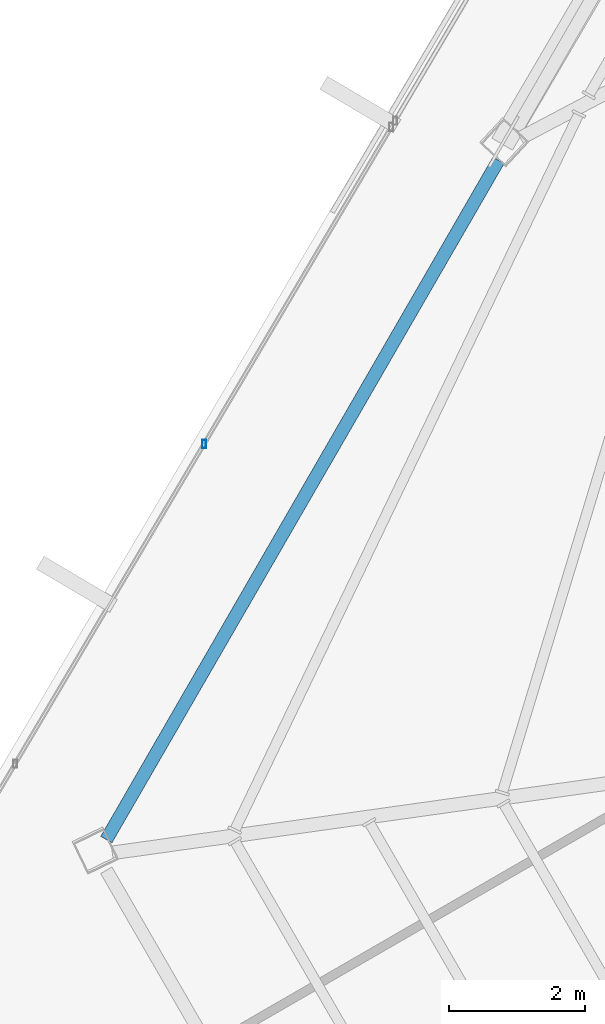
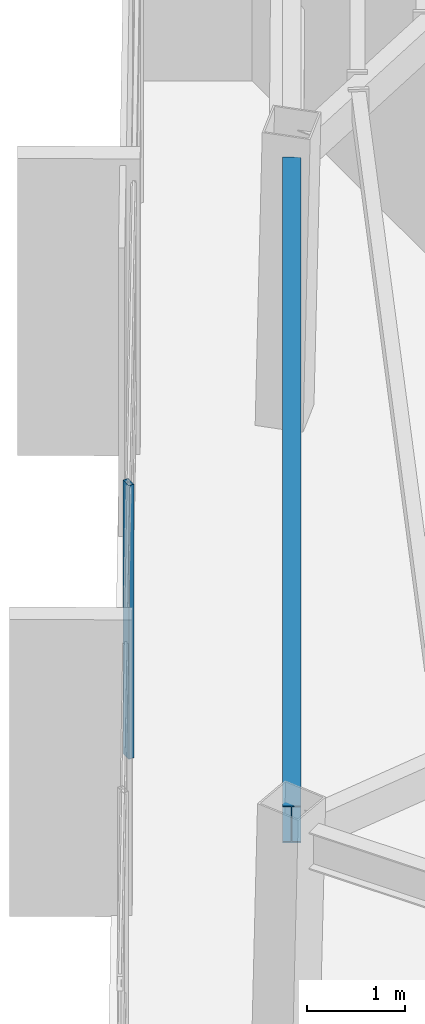
# One storey, part 9 of 48: 1 beam, 1 member, 1 element without a shape of its own.
"""IFC4 building model written with IfcOpenShell, lengths in metres."""

import ifcopenshell
import ifcopenshell.guid

model = None  # the IFC model being written
_history = None  # IfcOwnerHistory: only IFC2X3 demands one
_inside = {}  # id of a spatial element -> (the spatial element, [elements in it])
_under = {}  # id of a project, library or spatial element -> (it, [spatial elements below it])
_declared = {}  # id of a project -> (the project, [libraries it declares])
_typed = {}  # id of a type object -> (the type object, [elements of that type])
_made_of = {}  # id of a material, layer set ... -> (it, [elements and type objects made of it])


def new_model(schema):
    """Start an empty IFC model of exactly this schema.

    Asked for "IFC4X3", IfcOpenShell would pick the latest addendum, in which some entities
    have other attributes; the version numbers below select the first issue.
    IFC2X3 requires an IfcOwnerHistory on every rooted entity: one is made here for all.
    """
    global model, _history
    if schema == "IFC4X3":
        model = ifcopenshell.file(schema_version=(4, 3, 0, 0))
    else:
        model = ifcopenshell.file(schema=schema)
    _inside.clear()
    _under.clear()
    _declared.clear()
    _typed.clear()
    _made_of.clear()
    _history = None
    if model.schema == "IFC2X3":
        org = make("IfcOrganization", Name="unknown")
        user = make(
            "IfcPersonAndOrganization",
            ThePerson=make("IfcPerson", FamilyName="unknown"),
            TheOrganization=org,
        )
        app = make(
            "IfcApplication",
            ApplicationDeveloper=org,
            Version="unknown",
            ApplicationFullName="unknown",
            ApplicationIdentifier="unknown",
        )
        _history = make(
            "IfcOwnerHistory",
            OwningUser=user,
            OwningApplication=app,
            ChangeAction="ADDED",
            CreationDate=0,
        )
    return model


def make(cls, **values):
    """One entity of the class cls with the attributes given. An attribute that is None is left unset."""
    return model.create_entity(
        cls, **{name: value for name, value in values.items() if value is not None}
    )


def rooted(cls, **values):
    """An entity with a GlobalId (a new one), such as an element, a storey or a relation."""
    return make(cls, GlobalId=ifcopenshell.guid.new(), OwnerHistory=_history, **values)


def si_unit(unit_type, name, prefix=None):
    """IfcSIUnit, for example si_unit("LENGTHUNIT", "METRE", prefix="MILLI")."""
    return make("IfcSIUnit", UnitType=unit_type, Prefix=prefix, Name=name)


def assignment(units):
    """IfcUnitAssignment: the units of a project."""
    return None if units is None else make("IfcUnitAssignment", Units=units)


def point(xyz):
    """IfcCartesianPoint."""
    return None if xyz is None else make("IfcCartesianPoint", Coordinates=xyz)


def direction(xyz):
    """IfcDirection."""
    return None if xyz is None else make("IfcDirection", DirectionRatios=xyz)


def frame(location, z_axis=None, x_axis=None):
    """IfcAxis2Placement3D, a coordinate frame: its origin and axes. An axis left out is left unset."""
    return make(
        "IfcAxis2Placement3D",
        Location=point(location),
        Axis=direction(z_axis),
        RefDirection=direction(x_axis),
    )


def frame_2d(location, x_axis=None):
    """IfcAxis2Placement2D, a coordinate frame in the plane: its origin and x axis."""
    return make(
        "IfcAxis2Placement2D", Location=point(location), RefDirection=direction(x_axis)
    )


def origin():
    """The frame at (0, 0, 0) with its axes left unset."""
    return frame((0.0, 0.0, 0.0))


def origin_2d():
    """The frame at (0, 0) in the plane with its x axis left unset."""
    return frame_2d((0.0, 0.0))


def place(relative_to, where):
    """IfcLocalPlacement: puts the frame where relative to a parent placement (None: the world)."""
    return make(
        "IfcLocalPlacement", PlacementRelTo=relative_to, RelativePlacement=where
    )


def context(
    kind, dimensions, precision=None, world=None, true_north=None, identifier=None
):
    """IfcGeometricRepresentationContext, for example the 3D "Model" context."""
    return make(
        "IfcGeometricRepresentationContext",
        ContextIdentifier=identifier,
        ContextType=kind,
        CoordinateSpaceDimension=dimensions,
        Precision=precision,
        WorldCoordinateSystem=world,
        TrueNorth=true_north,
    )


def subcontext(parent, identifier, kind, view, scale=None):
    """IfcGeometricRepresentationSubContext, for example "Body" below "Model"."""
    return make(
        "IfcGeometricRepresentationSubContext",
        ContextIdentifier=identifier,
        ContextType=kind,
        ParentContext=parent,
        TargetScale=scale,
        TargetView=view,
    )


def project(units=None, contexts=None):
    """IfcProject with its units and contexts."""
    return rooted(
        "IfcProject",
        Name="project",
        RepresentationContexts=contexts,
        UnitsInContext=assignment(units),
    )


def spatial(cls, under=None, at=None, **own):
    """A site, building, storey or space (cls), placed at a placement, below another one or the project."""
    s = rooted(cls, ObjectPlacement=at, **own)
    if under is not None:
        _under.setdefault(under.id(), (under, []))[1].append(s)
    return s


def profile(cls, at=None, kind="AREA", **sizes):
    """A parametric profile (cls). Its sizes go by their IFC names, for example OverallWidth=200.0."""
    return make(cls, ProfileType=kind, Position=at, **sizes)


def hollow_rectangle(**sizes):
    """IfcRectangleHollowProfileDef."""
    return profile("IfcRectangleHollowProfileDef", **sizes)


def i_section(**sizes):
    """IfcIShapeProfileDef."""
    return profile("IfcIShapeProfileDef", **sizes)


def extrude(swept, where, along, depth):
    """IfcExtrudedAreaSolid: the profile swept, set in the frame where, extruded along a direction by depth."""
    return make(
        "IfcExtrudedAreaSolid",
        SweptArea=swept,
        Position=where,
        ExtrudedDirection=direction(along),
        Depth=depth,
    )


def shape(context_of_items, identifier, shape_type, items):
    """IfcShapeRepresentation: the items that make up one representation, for example the "Body"."""
    return make(
        "IfcShapeRepresentation",
        ContextOfItems=context_of_items,
        RepresentationIdentifier=identifier,
        RepresentationType=shape_type,
        Items=items,
    )


def source(mapping_origin, context_of_items, identifier, shape_type, items):
    """IfcRepresentationMap: a shape defined once, which mapped items show again and again."""
    return make(
        "IfcRepresentationMap",
        MappingOrigin=mapping_origin,
        MappedRepresentation=shape(context_of_items, identifier, shape_type, items),
    )


def transform(
    local_origin,
    x_axis=None,
    y_axis=None,
    z_axis=None,
    scale=None,
    scale2=None,
    scale3=None,
    uniform=True,
):
    """IfcCartesianTransformationOperator3D, or its non-uniform kind. x_axis, y_axis, z_axis: its Axis1, 2, 3."""
    if uniform:
        return make(
            "IfcCartesianTransformationOperator3D",
            Axis1=direction(x_axis),
            Axis2=direction(y_axis),
            LocalOrigin=point(local_origin),
            Scale=scale,
            Axis3=direction(z_axis),
        )
    return make(
        "IfcCartesianTransformationOperator3DnonUniform",
        Axis1=direction(x_axis),
        Axis2=direction(y_axis),
        LocalOrigin=point(local_origin),
        Scale=scale,
        Axis3=direction(z_axis),
        Scale2=scale2,
        Scale3=scale3,
    )


def mapped(mapping_source, mapping_target):
    """IfcMappedItem: shows the shape of a source again, moved by a transform."""
    return make(
        "IfcMappedItem", MappingSource=mapping_source, MappingTarget=mapping_target
    )


def material(Name=None, Category=None):
    """IfcMaterial."""
    return make("IfcMaterial", Name=Name, Category=Category)


def material_profile(
    of_material, cross_section, Name=None, Category=None, Priority=None
):
    """IfcMaterialProfile: a cross section and its material."""
    return make(
        "IfcMaterialProfile",
        Name=Name,
        Material=of_material,
        Profile=cross_section,
        Priority=Priority,
        Category=Category,
    )


def profile_set(profiles, Name=None, composite=None):
    """IfcMaterialProfileSet."""
    return make(
        "IfcMaterialProfileSet",
        Name=Name,
        MaterialProfiles=profiles,
        CompositeProfile=composite,
    )


def made_of(thing, what):
    """Note that an element or type object is made of a material, layer set ...; save() writes the relation."""
    if what is not None:
        _made_of.setdefault(what.id(), (what, []))[1].append(thing)
    return thing


def type_object(cls, material=None, **own):
    """A type object (cls), such as IfcWallType, which elements share."""
    return made_of(rooted(cls, **own), material)


def type_shapes(of_type, sources):
    """Give a type object the sources (RepresentationMaps) that its elements show as mapped items."""
    of_type.RepresentationMaps = sources


def element(
    cls,
    number,
    at=None,
    inside=None,
    cuts=None,
    type_object=None,
    material=None,
    context=None,
    identifier="Body",
    shape_type=None,
    held_by="IfcProductDefinitionShape",
    body=None,
    shapes=None,
    **own,
):
    """One element of the class cls, such as IfcWall. Its Tag is "e" and its number.

    at: its placement. inside: the storey or other place that contains it. cuts: it is an
    opening in that element (IfcRelVoidsElement). A single representation is given by context,
    identifier, shape_type and body (its items); several are given by shapes. held_by: the class
    of the entity that holds the representations. save() writes the other relations.
    """
    e = rooted(cls, Tag="e%d" % number, ObjectPlacement=at, **own)
    if body is not None:
        shapes = [shape(context, identifier, shape_type, body)]
    if shapes is not None:
        e.Representation = make(held_by, Representations=shapes)
    if inside is not None:
        _inside.setdefault(inside.id(), (inside, []))[1].append(e)
    if cuts is not None:
        rooted(
            "IfcRelVoidsElement", RelatingBuildingElement=cuts, RelatedOpeningElement=e
        )
    if type_object is not None:
        _typed.setdefault(type_object.id(), (type_object, []))[1].append(e)
    return made_of(e, material)


def aggregate(whole, parts):
    """IfcRelAggregates: a whole, such as a stair, and the parts it consists of."""
    return rooted("IfcRelAggregates", RelatingObject=whole, RelatedObjects=parts)


def save(model, path):
    """Write the relations noted so far, then the file.

    IfcRelAggregates (storeys below a building ...), IfcRelContainedInSpatialStructure (elements
    in a storey), IfcRelDefinesByType, IfcRelAssociatesMaterial and IfcRelDeclares: one each for
    every whole, place, type object, material and project.
    """
    for whole, parts in _under.values():
        aggregate(whole, parts)
    for where, things in _inside.values():
        rooted(
            "IfcRelContainedInSpatialStructure",
            RelatedElements=things,
            RelatingStructure=where,
        )
    for kind, things in _typed.values():
        rooted("IfcRelDefinesByType", RelatedObjects=things, RelatingType=kind)
    for what, things in _made_of.values():
        rooted("IfcRelAssociatesMaterial", RelatedObjects=things, RelatingMaterial=what)
    for by, libraries in _declared.values():
        rooted("IfcRelDeclares", RelatingContext=by, RelatedDefinitions=libraries)
    model.write(path)


model = new_model("IFC4")

# Units and contexts
model_context = context("Model", 3, precision=1e-05, world=origin(), true_north=direction((0.0, 1.0)))
body_context = subcontext(model_context, "Body", "Model", "MODEL_VIEW")
ifc_project = project(units=[si_unit("LENGTHUNIT", "METRE"), si_unit("AREAUNIT", "SQUARE_METRE"), si_unit("VOLUMEUNIT", "CUBIC_METRE"), si_unit("PLANEANGLEUNIT", "RADIAN"), si_unit("MASSUNIT", "GRAM", prefix="KILO")], contexts=[model_context])

# Site, building, storey
site_placement = place(None, origin())
site = spatial("IfcSite", under=ifc_project, at=site_placement, CompositionType="ELEMENT")
building_placement = place(site_placement, origin())
building = spatial("IfcBuilding", under=site, at=building_placement, Name="Caelisora Broadcast Tower", CompositionType="ELEMENT")
storey_placement = place(building_placement, frame((0.0, 0.0, 277.300048828125)))
storey = spatial("IfcBuildingStorey", under=building, at=storey_placement, Name="L73", CompositionType="ELEMENT", Elevation=277.300048828125)

# Beam
ifc_material_1 = material(Name="Steel Grade 350 (AS/NZS 3679.1)", Category="steel")
ifc_material_profile_1 = material_profile(ifc_material_1, i_section(OverallWidth=0.19091796875, OverallDepth=0.46044921875, WebThickness=0.010009765625, FlangeThickness=0.01611328125, at=origin_2d()), Name="Steel Grade 350 (AS/NZS 3679.1)")
ifc_profile_set_1 = profile_set([ifc_material_profile_1], Name="Steel Grade 350 (AS/NZS 3679.1)")
beam_type = type_object("IfcBeamType", Name="PG06", PredefinedType="BEAM", material=ifc_profile_set_1)
shared_shape_1 = source(origin(), body_context, "Body", "SweptSolid", [
    extrude(i_section(OverallWidth=0.19091796875, OverallDepth=0.46044921875, WebThickness=0.010009765625, FlangeThickness=0.01611328125, at=origin_2d()), origin(), (0.0, 0.0, 1.0), 11.509521484375),
])
type_shapes(beam_type, [shared_shape_1])
beam_placement = place(storey_placement, frame((22.580810546875, 25.65673828125, 3.169677734375), z_axis=(-0.500008281547, -0.866020622378, 0.0), x_axis=(0.866020622378, -0.500008281547, 0.0)))
element("IfcBeam", 1, at=beam_placement, inside=storey, type_object=beam_type, Name="L73 beam PG06", PredefinedType="BEAM", context=body_context, shape_type="MappedRepresentation", body=[
    mapped(shared_shape_1, transform((0.0, 0.0, 0.0), scale=1.0)),
])

# Curtain wall, member
ifc_material_2 = material(Name="Unitised Aluminium and Low-E Glass Curtain Wall", Category="glass")
curtain_wall_type = type_object("IfcCurtainWallType", Name="CW-Z5", PredefinedType="NOTDEFINED", material=ifc_material_2)
curtain_wall_placement = place(storey_placement, origin())
curtain_wall = element("IfcCurtainWall", 2, at=curtain_wall_placement, inside=storey, type_object=curtain_wall_type, Name="L73 curtain wall CW-Z5", PredefinedType="NOTDEFINED")
ifc_material_3 = material(Name="Aluminium 6063-T6 Anodised Terracotta Bronze", Category="aluminium")
ifc_material_profile_2 = material_profile(ifc_material_3, hollow_rectangle(XDim=0.06005859375, YDim=0.1201171875, WallThickness=0.0029296875, at=origin_2d()), Name="Aluminium 6063-T6 Anodised Terracotta Bronze")
ifc_profile_set_2 = profile_set([ifc_material_profile_2], Name="Aluminium 6063-T6 Anodised Terracotta Bronze")
member_type = type_object("IfcMemberType", Name="CWM-04", PredefinedType="MULLION", material=ifc_profile_set_2)
shared_shape_2 = source(origin(), body_context, "Body", "SweptSolid", [
    extrude(hollow_rectangle(XDim=0.06005859375, YDim=0.1201171875, WallThickness=0.0029296875, at=origin_2d()), origin(), (0.0, 0.0, 1.0), 3.39990234375),
])
type_shapes(member_type, [shared_shape_2])
member_placement = place(storey_placement, frame((18.260498046875, 21.494873046875, 0.0), z_axis=(0.0, 0.0, 1.0), x_axis=(1.0, 0.0, 0.0)))
member = element("IfcMember", 3, at=member_placement, type_object=member_type, Name="L73-CW-B09 mullion #2", PredefinedType="MULLION", context=body_context, shape_type="MappedRepresentation", body=[
    mapped(shared_shape_2, transform((0.0, 0.0, 0.0), scale=1.0)),
])
aggregate(curtain_wall, [member])

save(model, "model.ifc")
